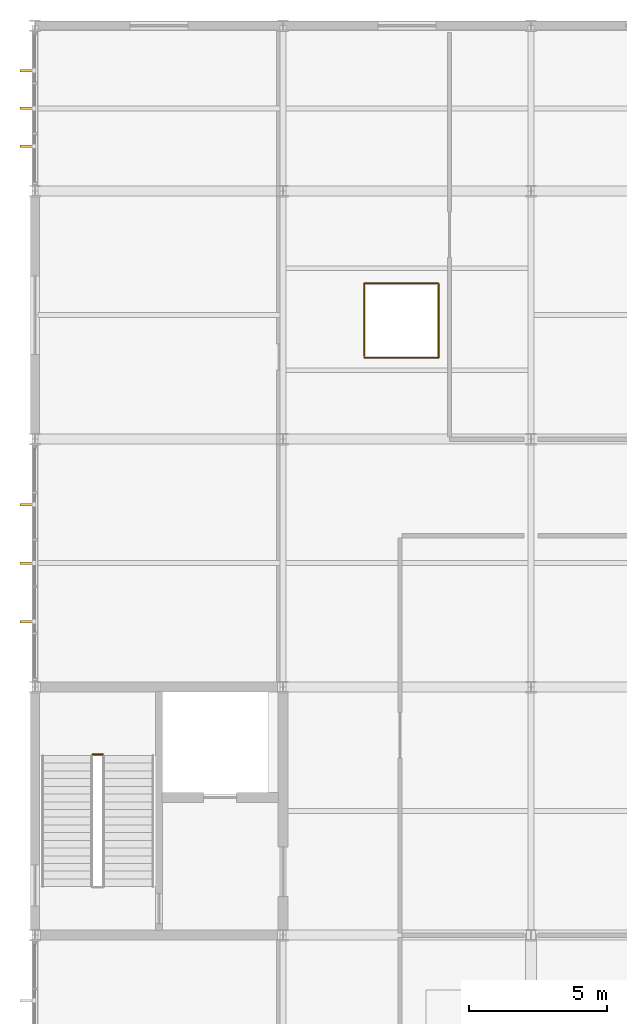
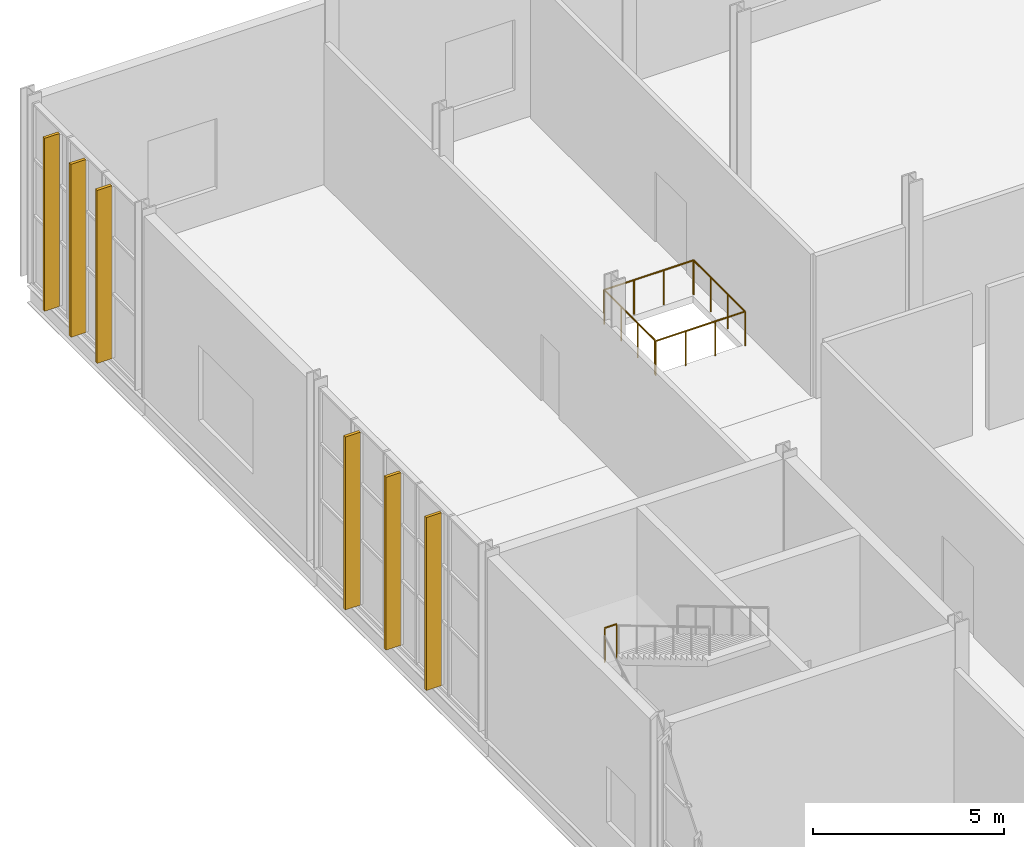
# One storey, part 149 of 159: 6 shading devices, 2 railings.
"""IFC4 building model written with IfcOpenShell, lengths in metres."""

import ifcopenshell
import ifcopenshell.guid

model = None  # the IFC model being written
_history = None  # IfcOwnerHistory: only IFC2X3 demands one
_inside = {}  # id of a spatial element -> (the spatial element, [elements in it])
_under = {}  # id of a project, library or spatial element -> (it, [spatial elements below it])
_declared = {}  # id of a project -> (the project, [libraries it declares])
_typed = {}  # id of a type object -> (the type object, [elements of that type])
_made_of = {}  # id of a material, layer set ... -> (it, [elements and type objects made of it])


def new_model(schema):
    """Start an empty IFC model of exactly this schema.

    Asked for "IFC4X3", IfcOpenShell would pick the latest addendum, in which some entities
    have other attributes; the version numbers below select the first issue.
    IFC2X3 requires an IfcOwnerHistory on every rooted entity: one is made here for all.
    """
    global model, _history
    if schema == "IFC4X3":
        model = ifcopenshell.file(schema_version=(4, 3, 0, 0))
    else:
        model = ifcopenshell.file(schema=schema)
    _inside.clear()
    _under.clear()
    _declared.clear()
    _typed.clear()
    _made_of.clear()
    _history = None
    if model.schema == "IFC2X3":
        org = make("IfcOrganization", Name="unknown")
        user = make(
            "IfcPersonAndOrganization",
            ThePerson=make("IfcPerson", FamilyName="unknown"),
            TheOrganization=org,
        )
        app = make(
            "IfcApplication",
            ApplicationDeveloper=org,
            Version="unknown",
            ApplicationFullName="unknown",
            ApplicationIdentifier="unknown",
        )
        _history = make(
            "IfcOwnerHistory",
            OwningUser=user,
            OwningApplication=app,
            ChangeAction="ADDED",
            CreationDate=0,
        )
    return model


def make(cls, **values):
    """One entity of the class cls with the attributes given. An attribute that is None is left unset."""
    return model.create_entity(
        cls, **{name: value for name, value in values.items() if value is not None}
    )


def rooted(cls, **values):
    """An entity with a GlobalId (a new one), such as an element, a storey or a relation."""
    return make(cls, GlobalId=ifcopenshell.guid.new(), OwnerHistory=_history, **values)


def si_unit(unit_type, name, prefix=None):
    """IfcSIUnit, for example si_unit("LENGTHUNIT", "METRE", prefix="MILLI")."""
    return make("IfcSIUnit", UnitType=unit_type, Prefix=prefix, Name=name)


def assignment(units):
    """IfcUnitAssignment: the units of a project."""
    return None if units is None else make("IfcUnitAssignment", Units=units)


def point(xyz):
    """IfcCartesianPoint."""
    return None if xyz is None else make("IfcCartesianPoint", Coordinates=xyz)


def direction(xyz):
    """IfcDirection."""
    return None if xyz is None else make("IfcDirection", DirectionRatios=xyz)


def frame(location, z_axis=None, x_axis=None):
    """IfcAxis2Placement3D, a coordinate frame: its origin and axes. An axis left out is left unset."""
    return make(
        "IfcAxis2Placement3D",
        Location=point(location),
        Axis=direction(z_axis),
        RefDirection=direction(x_axis),
    )


def frame_2d(location, x_axis=None):
    """IfcAxis2Placement2D, a coordinate frame in the plane: its origin and x axis."""
    return make(
        "IfcAxis2Placement2D", Location=point(location), RefDirection=direction(x_axis)
    )


def origin():
    """The frame at (0, 0, 0) with its axes left unset."""
    return frame((0.0, 0.0, 0.0))


def origin_2d():
    """The frame at (0, 0) in the plane with its x axis left unset."""
    return frame_2d((0.0, 0.0))


def place(relative_to, where):
    """IfcLocalPlacement: puts the frame where relative to a parent placement (None: the world)."""
    return make(
        "IfcLocalPlacement", PlacementRelTo=relative_to, RelativePlacement=where
    )


def context(
    kind, dimensions, precision=None, world=None, true_north=None, identifier=None
):
    """IfcGeometricRepresentationContext, for example the 3D "Model" context."""
    return make(
        "IfcGeometricRepresentationContext",
        ContextIdentifier=identifier,
        ContextType=kind,
        CoordinateSpaceDimension=dimensions,
        Precision=precision,
        WorldCoordinateSystem=world,
        TrueNorth=true_north,
    )


def subcontext(parent, identifier, kind, view, scale=None):
    """IfcGeometricRepresentationSubContext, for example "Body" below "Model"."""
    return make(
        "IfcGeometricRepresentationSubContext",
        ContextIdentifier=identifier,
        ContextType=kind,
        ParentContext=parent,
        TargetScale=scale,
        TargetView=view,
    )


def project(units=None, contexts=None):
    """IfcProject with its units and contexts."""
    return rooted(
        "IfcProject",
        Name="project",
        RepresentationContexts=contexts,
        UnitsInContext=assignment(units),
    )


def spatial(cls, under=None, at=None, **own):
    """A site, building, storey or space (cls), placed at a placement, below another one or the project."""
    s = rooted(cls, ObjectPlacement=at, **own)
    if under is not None:
        _under.setdefault(under.id(), (under, []))[1].append(s)
    return s


def profile(cls, at=None, kind="AREA", **sizes):
    """A parametric profile (cls). Its sizes go by their IFC names, for example OverallWidth=200.0."""
    return make(cls, ProfileType=kind, Position=at, **sizes)


def rectangle(**sizes):
    """IfcRectangleProfileDef."""
    return profile("IfcRectangleProfileDef", **sizes)


def circle(**sizes):
    """IfcCircleProfileDef."""
    return profile("IfcCircleProfileDef", **sizes)


def extrude(swept, where, along, depth):
    """IfcExtrudedAreaSolid: the profile swept, set in the frame where, extruded along a direction by depth."""
    return make(
        "IfcExtrudedAreaSolid",
        SweptArea=swept,
        Position=where,
        ExtrudedDirection=direction(along),
        Depth=depth,
    )


def shape(context_of_items, identifier, shape_type, items):
    """IfcShapeRepresentation: the items that make up one representation, for example the "Body"."""
    return make(
        "IfcShapeRepresentation",
        ContextOfItems=context_of_items,
        RepresentationIdentifier=identifier,
        RepresentationType=shape_type,
        Items=items,
    )


def material(Name=None, Category=None):
    """IfcMaterial."""
    return make("IfcMaterial", Name=Name, Category=Category)


def made_of(thing, what):
    """Note that an element or type object is made of a material, layer set ...; save() writes the relation."""
    if what is not None:
        _made_of.setdefault(what.id(), (what, []))[1].append(thing)
    return thing


def type_object(cls, material=None, **own):
    """A type object (cls), such as IfcWallType, which elements share."""
    return made_of(rooted(cls, **own), material)


def element(
    cls,
    number,
    at=None,
    inside=None,
    cuts=None,
    type_object=None,
    material=None,
    context=None,
    identifier="Body",
    shape_type=None,
    held_by="IfcProductDefinitionShape",
    body=None,
    shapes=None,
    **own,
):
    """One element of the class cls, such as IfcWall. Its Tag is "e" and its number.

    at: its placement. inside: the storey or other place that contains it. cuts: it is an
    opening in that element (IfcRelVoidsElement). A single representation is given by context,
    identifier, shape_type and body (its items); several are given by shapes. held_by: the class
    of the entity that holds the representations. save() writes the other relations.
    """
    e = rooted(cls, Tag="e%d" % number, ObjectPlacement=at, **own)
    if body is not None:
        shapes = [shape(context, identifier, shape_type, body)]
    if shapes is not None:
        e.Representation = make(held_by, Representations=shapes)
    if inside is not None:
        _inside.setdefault(inside.id(), (inside, []))[1].append(e)
    if cuts is not None:
        rooted(
            "IfcRelVoidsElement", RelatingBuildingElement=cuts, RelatedOpeningElement=e
        )
    if type_object is not None:
        _typed.setdefault(type_object.id(), (type_object, []))[1].append(e)
    return made_of(e, material)


def aggregate(whole, parts):
    """IfcRelAggregates: a whole, such as a stair, and the parts it consists of."""
    return rooted("IfcRelAggregates", RelatingObject=whole, RelatedObjects=parts)


def save(model, path):
    """Write the relations noted so far, then the file.

    IfcRelAggregates (storeys below a building ...), IfcRelContainedInSpatialStructure (elements
    in a storey), IfcRelDefinesByType, IfcRelAssociatesMaterial and IfcRelDeclares: one each for
    every whole, place, type object, material and project.
    """
    for whole, parts in _under.values():
        aggregate(whole, parts)
    for where, things in _inside.values():
        rooted(
            "IfcRelContainedInSpatialStructure",
            RelatedElements=things,
            RelatingStructure=where,
        )
    for kind, things in _typed.values():
        rooted("IfcRelDefinesByType", RelatedObjects=things, RelatingType=kind)
    for what, things in _made_of.values():
        rooted("IfcRelAssociatesMaterial", RelatedObjects=things, RelatingMaterial=what)
    for by, libraries in _declared.values():
        rooted("IfcRelDeclares", RelatingContext=by, RelatedDefinitions=libraries)
    model.write(path)


model = new_model("IFC4")

# Units and contexts
model_context = context("Model", 3, precision=1e-05, world=origin(), true_north=direction((0.0, 1.0)))
body_context = subcontext(model_context, "Body", "Model", "MODEL_VIEW")
ifc_project = project(units=[si_unit("LENGTHUNIT", "METRE"), si_unit("AREAUNIT", "SQUARE_METRE"), si_unit("VOLUMEUNIT", "CUBIC_METRE"), si_unit("PLANEANGLEUNIT", "RADIAN"), si_unit("MASSUNIT", "GRAM", prefix="KILO")], contexts=[model_context])

# Site, building, storey
site_placement = place(None, origin())
site = spatial("IfcSite", under=ifc_project, at=site_placement, CompositionType="ELEMENT")
building_placement = place(site_placement, origin())
building = spatial("IfcBuilding", under=site, at=building_placement, Name="Cazmaro Siding Exhibition Halls", CompositionType="ELEMENT")
storey_placement = place(building_placement, frame((0.0, 0.0, 6.0)))
storey = spatial("IfcBuildingStorey", under=building, at=storey_placement, Name="L01", CompositionType="ELEMENT", Elevation=6.0)

# Railings
ifc_material_1 = material(Name="Interior Laminated Glass and Brushed Stainless Steel Balustrade", Category="steel")
railing_type_1 = type_object("IfcRailingType", Name="RL-BAL-02", PredefinedType="BALUSTRADE", material=ifc_material_1)
railing_1_placement = place(storey_placement, frame((11.949951171875, 111.949951171875, 0.0)))
element("IfcRailing", 1, at=railing_1_placement, inside=storey, type_object=railing_type_1, Name="West Wing L01 Lightwell Guard RL-BAL-02 RL-G061", PredefinedType="BALUSTRADE", context=body_context, shape_type="SweptSolid", body=[
    extrude(circle(Radius=0.02392578125, at=origin_2d()), frame((0.0, 0.0, 1.09619140625), z_axis=(1.0, 0.0, 0.0), x_axis=(0.0, 1.0, 0.0)), (0.0, 0.0, 1.0), 2.699951171875),
    extrude(circle(Radius=0.02392578125, at=origin_2d()), frame((2.699951171875, 0.0, 1.09619140625), z_axis=(0.0, 1.0, 0.0), x_axis=(-1.0, 0.0, 0.0)), (0.0, 0.0, 1.0), 2.699951171875),
    extrude(circle(Radius=0.02392578125, at=origin_2d()), frame((2.699951171875, 2.699951171875, 1.09619140625), z_axis=(-1.0, 0.0, 0.0), x_axis=(0.0, -1.0, 0.0)), (0.0, 0.0, 1.0), 2.699951171875),
    extrude(circle(Radius=0.02392578125, at=origin_2d()), frame((0.0, 2.699951171875, 1.09619140625), z_axis=(0.0, -1.0, 0.0), x_axis=(1.0, 0.0, 0.0)), (0.0, 0.0, 1.0), 2.639892578125),
    extrude(circle(Radius=0.02099609375, at=origin_2d()), origin(), (0.0, 0.0, 1.0), 1.072021484375),
    extrude(circle(Radius=0.02099609375, at=origin_2d()), frame((0.89990234375, 0.0, 0.0)), (0.0, 0.0, 1.0), 1.072021484375),
    extrude(circle(Radius=0.02099609375, at=origin_2d()), frame((1.800048828125, 0.0, 0.0)), (0.0, 0.0, 1.0), 1.072021484375),
    extrude(circle(Radius=0.02099609375, at=origin_2d()), frame((2.699951171875, 0.0, 0.0)), (0.0, 0.0, 1.0), 1.072021484375),
    extrude(circle(Radius=0.02099609375, at=origin_2d()), frame((2.699951171875, 0.89990234375, 0.0)), (0.0, 0.0, 1.0), 1.072021484375),
    extrude(circle(Radius=0.02099609375, at=origin_2d()), frame((2.699951171875, 1.800048828125, 0.0)), (0.0, 0.0, 1.0), 1.072021484375),
    extrude(circle(Radius=0.02099609375, at=origin_2d()), frame((2.699951171875, 2.699951171875, 0.0)), (0.0, 0.0, 1.0), 1.072021484375),
    extrude(circle(Radius=0.02099609375, at=origin_2d()), frame((1.800048828125, 2.699951171875, 0.0)), (0.0, 0.0, 1.0), 1.072021484375),
    extrude(circle(Radius=0.02099609375, at=origin_2d()), frame((0.89990234375, 2.699951171875, 0.0)), (0.0, 0.0, 1.0), 1.072021484375),
    extrude(circle(Radius=0.02099609375, at=origin_2d()), frame((0.0, 2.699951171875, 0.0)), (0.0, 0.0, 1.0), 1.072021484375),
    extrude(circle(Radius=0.02099609375, at=origin_2d()), frame((0.0, 1.820068359375, 0.0)), (0.0, 0.0, 1.0), 1.072021484375),
    extrude(circle(Radius=0.02099609375, at=origin_2d()), frame((0.0, 0.93994140625, 0.0)), (0.0, 0.0, 1.0), 1.072021484375),
    extrude(circle(Radius=0.02099609375, at=origin_2d()), frame((0.0, 0.06005859375, 0.0)), (0.0, 0.0, 1.0), 1.072021484375),
])
ifc_material_2 = material(Name="Painted Steel Stairwell Guardrail", Category="steel")
railing_type_2 = type_object("IfcRailingType", Name="RL-GRD-01", PredefinedType="GUARDRAIL", material=ifc_material_2)
railing_2_placement = place(storey_placement, frame((2.094970703125, 97.56005859375, 3.0)))
element("IfcRailing", 2, at=railing_2_placement, inside=storey, type_object=railing_type_2, Name="ST-19 Mid-Landing Slot Guard RL-GRD-01 RL-SG037", PredefinedType="GUARDRAIL", context=body_context, shape_type="SweptSolid", body=[
    extrude(circle(Radius=0.02392578125, at=origin_2d()), frame((0.0, 0.0, 1.09619140625), z_axis=(1.0, 0.0, 0.0), x_axis=(0.0, 1.0, 0.0)), (0.0, 0.0, 1.0), 0.364990234375),
    extrude(circle(Radius=0.02099609375, at=origin_2d()), origin(), (0.0, 0.0, 1.0), 1.072021484375),
    extrude(circle(Radius=0.02099609375, at=origin_2d()), frame((0.364990234375, 0.0, 0.0)), (0.0, 0.0, 1.0), 1.072021484375),
])

# Shading devices
ifc_material_3 = material(Name="Extruded Kiln-Fired Terracotta Sunshade Louver", Category="concrete")
shading_device_type = type_object("IfcShadingDeviceType", Name="SHD-TC-01", PredefinedType="USERDEFINED", material=ifc_material_3)
for number, where, z_axis, x_axis, name in (
    (3, (-0.31494140625, 102.3759765625, 0.125), (0.0, 0.0, 1.0), (1.0, 0.0, 0.0), "Extruded Terracotta Vertical Sunshade Fin SHD-01 019"),
    (4, (-0.31494140625, 104.5, 0.125), (0.0, 0.0, 1.0), (1.0, 0.0, 0.0), "Extruded Terracotta Vertical Sunshade Fin SHD-01 020"),
    (5, (-0.31494140625, 106.6240234375, 0.125), (0.0, 0.0, 1.0), (1.0, 0.0, 0.0), "Extruded Terracotta Vertical Sunshade Fin SHD-01 021"),
    (6, (-0.31494140625, 119.6259765625, 0.125), (0.0, 0.0, 1.0), (1.0, 0.0, 0.0), "Extruded Terracotta Vertical Sunshade Fin SHD-01 022"),
    (7, (-0.31494140625, 121.0, 0.125), (0.0, 0.0, 1.0), (1.0, 0.0, 0.0), "Extruded Terracotta Vertical Sunshade Fin SHD-01 023"),
    (8, (-0.31494140625, 122.3740234375, 0.125), (0.0, 0.0, 1.0), (1.0, 0.0, 0.0), "Extruded Terracotta Vertical Sunshade Fin SHD-01 024"),
):
    element("IfcShadingDevice", number, at=place(storey_placement, frame(where, z_axis=z_axis, x_axis=x_axis)), inside=storey, type_object=shading_device_type, Name=name, ObjectType="SUNSHADE", PredefinedType="USERDEFINED", context=body_context, shape_type="SweptSolid", body=[
        extrude(rectangle(XDim=0.449951171875, YDim=0.090087890625, at=origin_2d()), origin(), (0.0, 0.0, 1.0), 5.530029296875),
    ])

save(model, "model.ifc")
